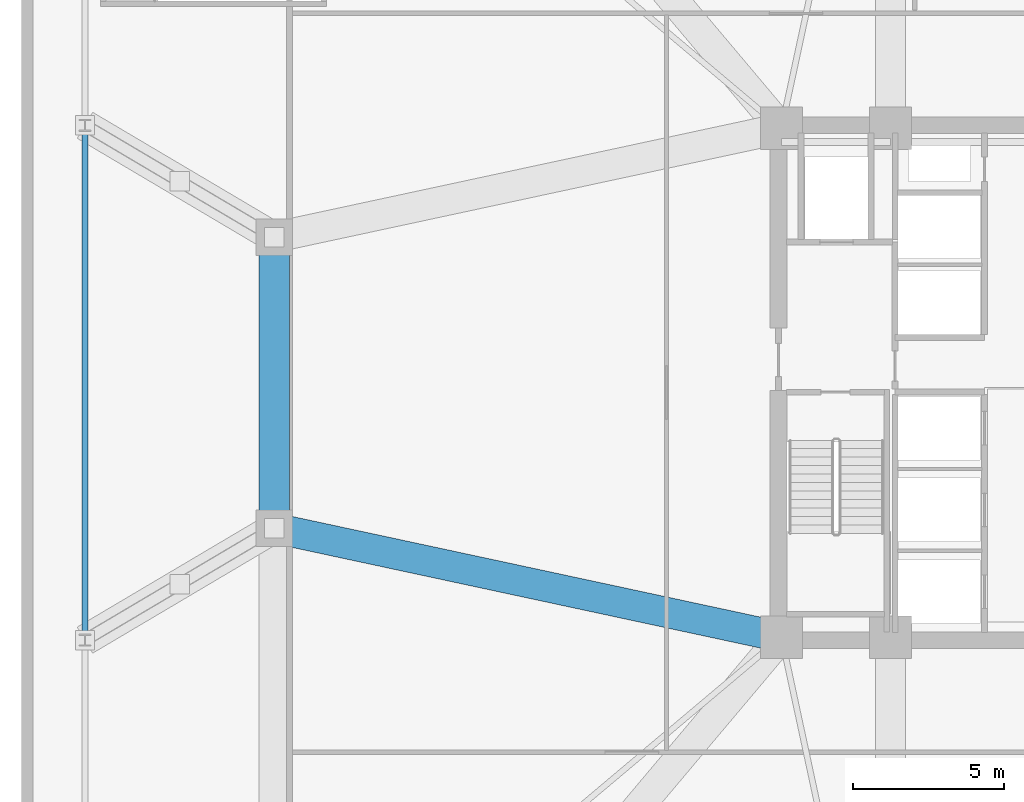
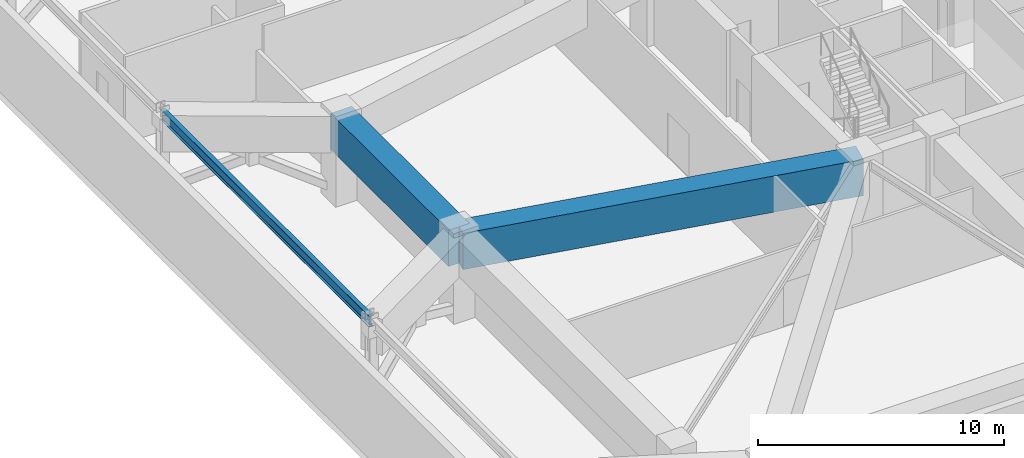
# One storey, part 4 of 19: 3 beams.
"""IFC4 building model written with IfcOpenShell, lengths in metres."""

from ifc_helpers import new_model, si_unit, direction, frame, origin, origin_2d, place, context, subcontext, project, spatial, rectangle, i_section, extrude, material, material_profile, profile_set, type_object, element, save


model = new_model("IFC4")

# Units and contexts
model_context = context("Model", 3, precision=1e-05, world=origin(), true_north=direction((0.0, 1.0)))
body_context = subcontext(model_context, "Body", "Model", "MODEL_VIEW")
ifc_project = project(units=[si_unit("LENGTHUNIT", "METRE"), si_unit("AREAUNIT", "SQUARE_METRE"), si_unit("VOLUMEUNIT", "CUBIC_METRE"), si_unit("PLANEANGLEUNIT", "RADIAN"), si_unit("MASSUNIT", "GRAM", prefix="KILO")], contexts=[model_context])

# Site, building, storey
site_placement = place(None, origin())
site = spatial("IfcSite", under=ifc_project, at=site_placement, CompositionType="ELEMENT")
building_placement = place(site_placement, origin())
building = spatial("IfcBuilding", under=site, at=building_placement, Name="Cairnveth Concourse Tower", CompositionType="ELEMENT")
storey_placement = place(building_placement, frame((0.0, 0.0, 19.0)))
storey = spatial("IfcBuildingStorey", under=building, at=storey_placement, Name="L04", CompositionType="ELEMENT", Elevation=19.0)

# Beams
ifc_material_1 = material(Name="Concrete N65 (65 MPa)", Category="concrete")
ifc_material_profile_1 = material_profile(ifc_material_1, rectangle(XDim=1.0, YDim=1.800048828125, at=origin_2d()), Name="RC-TB-1000x1800")
ifc_profile_set_1 = profile_set([ifc_material_profile_1], Name="Concrete N65 (65 MPa)")
beam_type_1 = type_object("IfcBeamType", Name="CONCRETE TRANSFER GIRDER 1000X1800", PredefinedType="BEAM", material=ifc_profile_set_1)
beam_1_placement = place(storey_placement, frame((26.85009765625, 34.199951171875, 3.3798828125), z_axis=(0.977675861524, -0.210118799239, 0.0), x_axis=(0.210118799239, 0.977675861524, 0.0)))
element("IfcBeam", 1, at=beam_1_placement, inside=storey, type_object=beam_type_1, Name="Beam PG-W1B L04", PredefinedType="BEAM", context=body_context, shape_type="SweptSolid", body=[
    extrude(rectangle(XDim=1.0, YDim=1.800048828125, at=origin_2d()), origin(), (0.0, 0.0, 1.0), 17.132568359375),
])
beam_2_placement = place(storey_placement, frame((26.85009765625, 34.199951171875, 3.3798828125), z_axis=(0.0, 1.0, 0.0), x_axis=(-1.0, 0.0, 0.0)))
element("IfcBeam", 2, at=beam_2_placement, inside=storey, type_object=beam_type_1, Name="Beam PR-W2 L04", PredefinedType="BEAM", context=body_context, shape_type="SweptSolid", body=[
    extrude(rectangle(XDim=1.0, YDim=1.800048828125, at=origin_2d()), origin(), (0.0, 0.0, 1.0), 9.60009765625),
])
ifc_material_2 = material(Name="Steel Grade 350", Category="steel")
ifc_material_profile_2 = material_profile(ifc_material_2, i_section(OverallWidth=0.208984375, OverallDepth=0.532958984375, WebThickness=0.01025390625, FlangeThickness=0.015625, FilletRadius=0.013916015625, at=origin_2d()), Name="530UB92.4")
ifc_profile_set_2 = profile_set([ifc_material_profile_2], Name="Steel Grade 350")
beam_type_2 = type_object("IfcBeamType", Name="PODIUM EDGE SPANDREL 530UB92.4", PredefinedType="SPANDREL", material=ifc_profile_set_2)
beam_3_placement = place(storey_placement, frame((20.60009765625, 30.5, 4.013427734375), z_axis=(0.0, 1.0, 0.0), x_axis=(-1.0, 0.0, 0.0)))
element("IfcBeam", 3, at=beam_3_placement, inside=storey, type_object=beam_type_2, Name="Beam PSP-W2 L04", PredefinedType="SPANDREL", context=body_context, shape_type="SweptSolid", body=[
    extrude(i_section(OverallWidth=0.208984375, OverallDepth=0.532958984375, WebThickness=0.01025390625, FlangeThickness=0.015625, FilletRadius=0.013916015625, at=origin_2d()), origin(), (0.0, 0.0, 1.0), 17.0),
])

save(model, "model.ifc")
